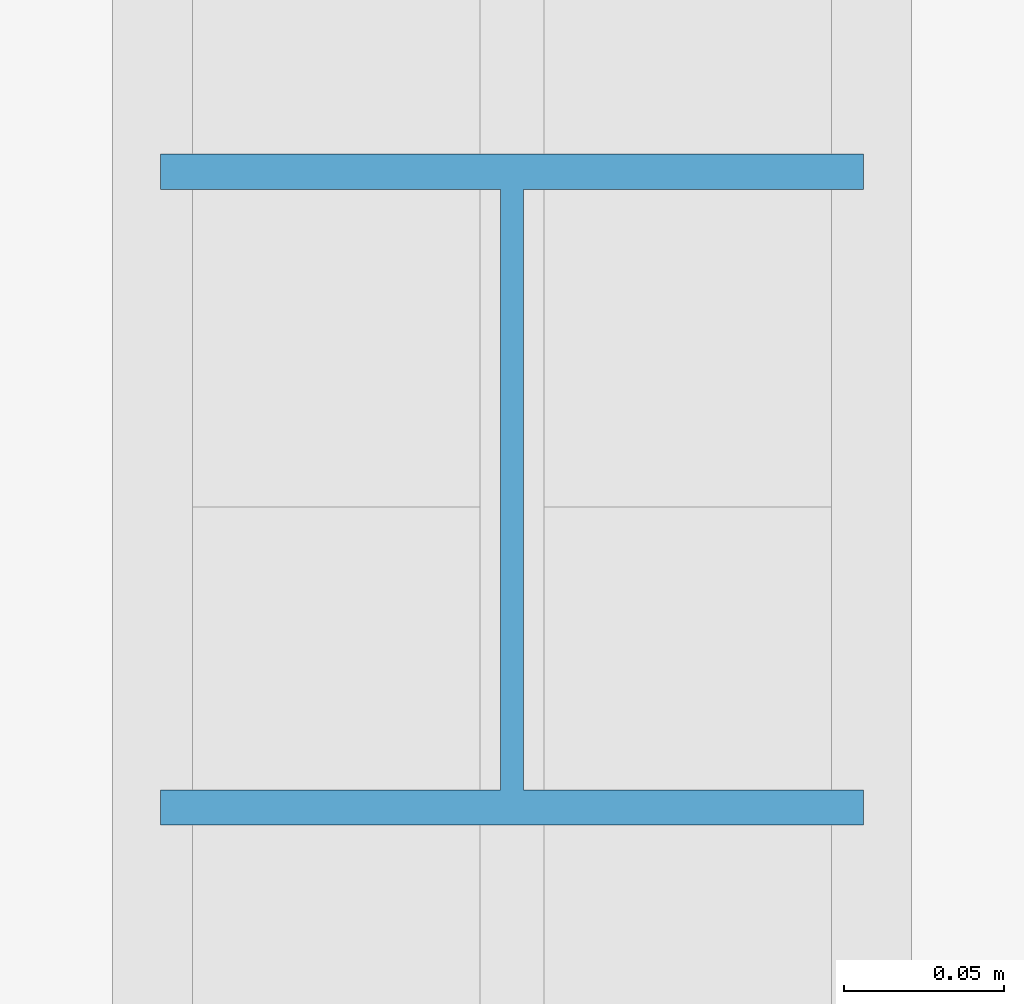
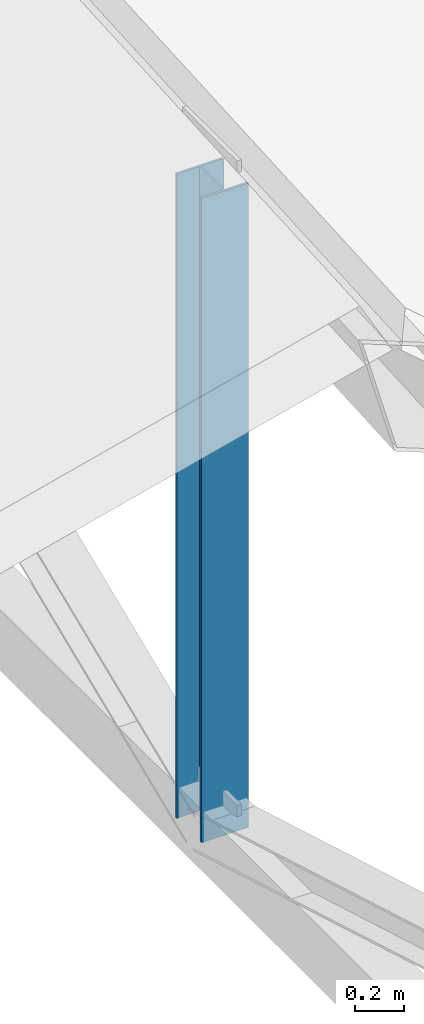
# One storey, part 36 of 142: 1 member.
"""IFC4 building model written with IfcOpenShell, lengths in metres."""

import ifcopenshell
import ifcopenshell.guid

model = None  # the IFC model being written
_history = None  # IfcOwnerHistory: only IFC2X3 demands one
_inside = {}  # id of a spatial element -> (the spatial element, [elements in it])
_under = {}  # id of a project, library or spatial element -> (it, [spatial elements below it])
_declared = {}  # id of a project -> (the project, [libraries it declares])
_typed = {}  # id of a type object -> (the type object, [elements of that type])
_made_of = {}  # id of a material, layer set ... -> (it, [elements and type objects made of it])


def new_model(schema):
    """Start an empty IFC model of exactly this schema.

    Asked for "IFC4X3", IfcOpenShell would pick the latest addendum, in which some entities
    have other attributes; the version numbers below select the first issue.
    IFC2X3 requires an IfcOwnerHistory on every rooted entity: one is made here for all.
    """
    global model, _history
    if schema == "IFC4X3":
        model = ifcopenshell.file(schema_version=(4, 3, 0, 0))
    else:
        model = ifcopenshell.file(schema=schema)
    _inside.clear()
    _under.clear()
    _declared.clear()
    _typed.clear()
    _made_of.clear()
    _history = None
    if model.schema == "IFC2X3":
        org = make("IfcOrganization", Name="unknown")
        user = make(
            "IfcPersonAndOrganization",
            ThePerson=make("IfcPerson", FamilyName="unknown"),
            TheOrganization=org,
        )
        app = make(
            "IfcApplication",
            ApplicationDeveloper=org,
            Version="unknown",
            ApplicationFullName="unknown",
            ApplicationIdentifier="unknown",
        )
        _history = make(
            "IfcOwnerHistory",
            OwningUser=user,
            OwningApplication=app,
            ChangeAction="ADDED",
            CreationDate=0,
        )
    return model


def make(cls, **values):
    """One entity of the class cls with the attributes given. An attribute that is None is left unset."""
    return model.create_entity(
        cls, **{name: value for name, value in values.items() if value is not None}
    )


def rooted(cls, **values):
    """An entity with a GlobalId (a new one), such as an element, a storey or a relation."""
    return make(cls, GlobalId=ifcopenshell.guid.new(), OwnerHistory=_history, **values)


def si_unit(unit_type, name, prefix=None):
    """IfcSIUnit, for example si_unit("LENGTHUNIT", "METRE", prefix="MILLI")."""
    return make("IfcSIUnit", UnitType=unit_type, Prefix=prefix, Name=name)


def assignment(units):
    """IfcUnitAssignment: the units of a project."""
    return None if units is None else make("IfcUnitAssignment", Units=units)


def point(xyz):
    """IfcCartesianPoint."""
    return None if xyz is None else make("IfcCartesianPoint", Coordinates=xyz)


def direction(xyz):
    """IfcDirection."""
    return None if xyz is None else make("IfcDirection", DirectionRatios=xyz)


def frame(location, z_axis=None, x_axis=None):
    """IfcAxis2Placement3D, a coordinate frame: its origin and axes. An axis left out is left unset."""
    return make(
        "IfcAxis2Placement3D",
        Location=point(location),
        Axis=direction(z_axis),
        RefDirection=direction(x_axis),
    )


def frame_2d(location, x_axis=None):
    """IfcAxis2Placement2D, a coordinate frame in the plane: its origin and x axis."""
    return make(
        "IfcAxis2Placement2D", Location=point(location), RefDirection=direction(x_axis)
    )


def origin():
    """The frame at (0, 0, 0) with its axes left unset."""
    return frame((0.0, 0.0, 0.0))


def origin_2d():
    """The frame at (0, 0) in the plane with its x axis left unset."""
    return frame_2d((0.0, 0.0))


def place(relative_to, where):
    """IfcLocalPlacement: puts the frame where relative to a parent placement (None: the world)."""
    return make(
        "IfcLocalPlacement", PlacementRelTo=relative_to, RelativePlacement=where
    )


def context(
    kind, dimensions, precision=None, world=None, true_north=None, identifier=None
):
    """IfcGeometricRepresentationContext, for example the 3D "Model" context."""
    return make(
        "IfcGeometricRepresentationContext",
        ContextIdentifier=identifier,
        ContextType=kind,
        CoordinateSpaceDimension=dimensions,
        Precision=precision,
        WorldCoordinateSystem=world,
        TrueNorth=true_north,
    )


def subcontext(parent, identifier, kind, view, scale=None):
    """IfcGeometricRepresentationSubContext, for example "Body" below "Model"."""
    return make(
        "IfcGeometricRepresentationSubContext",
        ContextIdentifier=identifier,
        ContextType=kind,
        ParentContext=parent,
        TargetScale=scale,
        TargetView=view,
    )


def project(units=None, contexts=None):
    """IfcProject with its units and contexts."""
    return rooted(
        "IfcProject",
        Name="project",
        RepresentationContexts=contexts,
        UnitsInContext=assignment(units),
    )


def spatial(cls, under=None, at=None, **own):
    """A site, building, storey or space (cls), placed at a placement, below another one or the project."""
    s = rooted(cls, ObjectPlacement=at, **own)
    if under is not None:
        _under.setdefault(under.id(), (under, []))[1].append(s)
    return s


def profile(cls, at=None, kind="AREA", **sizes):
    """A parametric profile (cls). Its sizes go by their IFC names, for example OverallWidth=200.0."""
    return make(cls, ProfileType=kind, Position=at, **sizes)


def i_section(**sizes):
    """IfcIShapeProfileDef."""
    return profile("IfcIShapeProfileDef", **sizes)


def extrude(swept, where, along, depth):
    """IfcExtrudedAreaSolid: the profile swept, set in the frame where, extruded along a direction by depth."""
    return make(
        "IfcExtrudedAreaSolid",
        SweptArea=swept,
        Position=where,
        ExtrudedDirection=direction(along),
        Depth=depth,
    )


def shape(context_of_items, identifier, shape_type, items):
    """IfcShapeRepresentation: the items that make up one representation, for example the "Body"."""
    return make(
        "IfcShapeRepresentation",
        ContextOfItems=context_of_items,
        RepresentationIdentifier=identifier,
        RepresentationType=shape_type,
        Items=items,
    )


def material(Name=None, Category=None):
    """IfcMaterial."""
    return make("IfcMaterial", Name=Name, Category=Category)


def material_profile(
    of_material, cross_section, Name=None, Category=None, Priority=None
):
    """IfcMaterialProfile: a cross section and its material."""
    return make(
        "IfcMaterialProfile",
        Name=Name,
        Material=of_material,
        Profile=cross_section,
        Priority=Priority,
        Category=Category,
    )


def profile_set(profiles, Name=None, composite=None):
    """IfcMaterialProfileSet."""
    return make(
        "IfcMaterialProfileSet",
        Name=Name,
        MaterialProfiles=profiles,
        CompositeProfile=composite,
    )


def made_of(thing, what):
    """Note that an element or type object is made of a material, layer set ...; save() writes the relation."""
    if what is not None:
        _made_of.setdefault(what.id(), (what, []))[1].append(thing)
    return thing


def type_object(cls, material=None, **own):
    """A type object (cls), such as IfcWallType, which elements share."""
    return made_of(rooted(cls, **own), material)


def element(
    cls,
    number,
    at=None,
    inside=None,
    cuts=None,
    type_object=None,
    material=None,
    context=None,
    identifier="Body",
    shape_type=None,
    held_by="IfcProductDefinitionShape",
    body=None,
    shapes=None,
    **own,
):
    """One element of the class cls, such as IfcWall. Its Tag is "e" and its number.

    at: its placement. inside: the storey or other place that contains it. cuts: it is an
    opening in that element (IfcRelVoidsElement). A single representation is given by context,
    identifier, shape_type and body (its items); several are given by shapes. held_by: the class
    of the entity that holds the representations. save() writes the other relations.
    """
    e = rooted(cls, Tag="e%d" % number, ObjectPlacement=at, **own)
    if body is not None:
        shapes = [shape(context, identifier, shape_type, body)]
    if shapes is not None:
        e.Representation = make(held_by, Representations=shapes)
    if inside is not None:
        _inside.setdefault(inside.id(), (inside, []))[1].append(e)
    if cuts is not None:
        rooted(
            "IfcRelVoidsElement", RelatingBuildingElement=cuts, RelatedOpeningElement=e
        )
    if type_object is not None:
        _typed.setdefault(type_object.id(), (type_object, []))[1].append(e)
    return made_of(e, material)


def aggregate(whole, parts):
    """IfcRelAggregates: a whole, such as a stair, and the parts it consists of."""
    return rooted("IfcRelAggregates", RelatingObject=whole, RelatedObjects=parts)


def save(model, path):
    """Write the relations noted so far, then the file.

    IfcRelAggregates (storeys below a building ...), IfcRelContainedInSpatialStructure (elements
    in a storey), IfcRelDefinesByType, IfcRelAssociatesMaterial and IfcRelDeclares: one each for
    every whole, place, type object, material and project.
    """
    for whole, parts in _under.values():
        aggregate(whole, parts)
    for where, things in _inside.values():
        rooted(
            "IfcRelContainedInSpatialStructure",
            RelatedElements=things,
            RelatingStructure=where,
        )
    for kind, things in _typed.values():
        rooted("IfcRelDefinesByType", RelatedObjects=things, RelatingType=kind)
    for what, things in _made_of.values():
        rooted("IfcRelAssociatesMaterial", RelatedObjects=things, RelatingMaterial=what)
    for by, libraries in _declared.values():
        rooted("IfcRelDeclares", RelatingContext=by, RelatedDefinitions=libraries)
    model.write(path)


model = new_model("IFC4")

# Units and contexts
model_context = context("Model", 3, precision=1e-05, world=origin(), true_north=direction((0.0, 1.0)))
body_context = subcontext(model_context, "Body", "Model", "MODEL_VIEW")
ifc_project = project(units=[si_unit("LENGTHUNIT", "METRE"), si_unit("AREAUNIT", "SQUARE_METRE"), si_unit("VOLUMEUNIT", "CUBIC_METRE"), si_unit("PLANEANGLEUNIT", "RADIAN"), si_unit("MASSUNIT", "GRAM", prefix="KILO")], contexts=[model_context])

# Site, building, storey
site_placement = place(None, origin())
site = spatial("IfcSite", under=ifc_project, at=site_placement, CompositionType="ELEMENT")
building_placement = place(site_placement, origin())
building = spatial("IfcBuilding", under=site, at=building_placement, Name="Montelvaro Courts of Justice", CompositionType="ELEMENT")
storey_placement = place(building_placement, frame((0.0, 0.0, 14.39990234375)))
storey = spatial("IfcBuildingStorey", under=building, at=storey_placement, Name="L03", CompositionType="ELEMENT", Elevation=14.39990234375)

# Member
ifc_material = material(Name="Steel S355", Category="steel")
ifc_material_profile = material_profile(ifc_material, i_section(OverallWidth=0.219970703125, OverallDepth=0.2099609375, WebThickness=0.007080078125, FlangeThickness=0.010986328125, at=origin_2d()), Name="HEA 220")
ifc_profile_set = profile_set([ifc_material_profile], Name="Steel S355")
member_type = type_object("IfcMemberType", Name="Mem_HEA220_Post", PredefinedType="POST", material=ifc_profile_set)
member_placement = place(storey_placement, frame((67.5, 60.0, -0.2998046875), z_axis=(0.0, 0.0, 1.0), x_axis=(1.0, 0.0, 0.0)))
element("IfcMember", 1, at=member_placement, inside=storey, type_object=member_type, Name="Roof Truss Post MP-03 ROOF-PASSAGE-RTR02-V2", PredefinedType="POST", context=body_context, shape_type="SweptSolid", body=[
    extrude(i_section(OverallWidth=0.219970703125, OverallDepth=0.2099609375, WebThickness=0.007080078125, FlangeThickness=0.010986328125, at=origin_2d()), origin(), (0.0, 0.0, 1.0), 3.179931640625),
])

save(model, "model.ifc")
